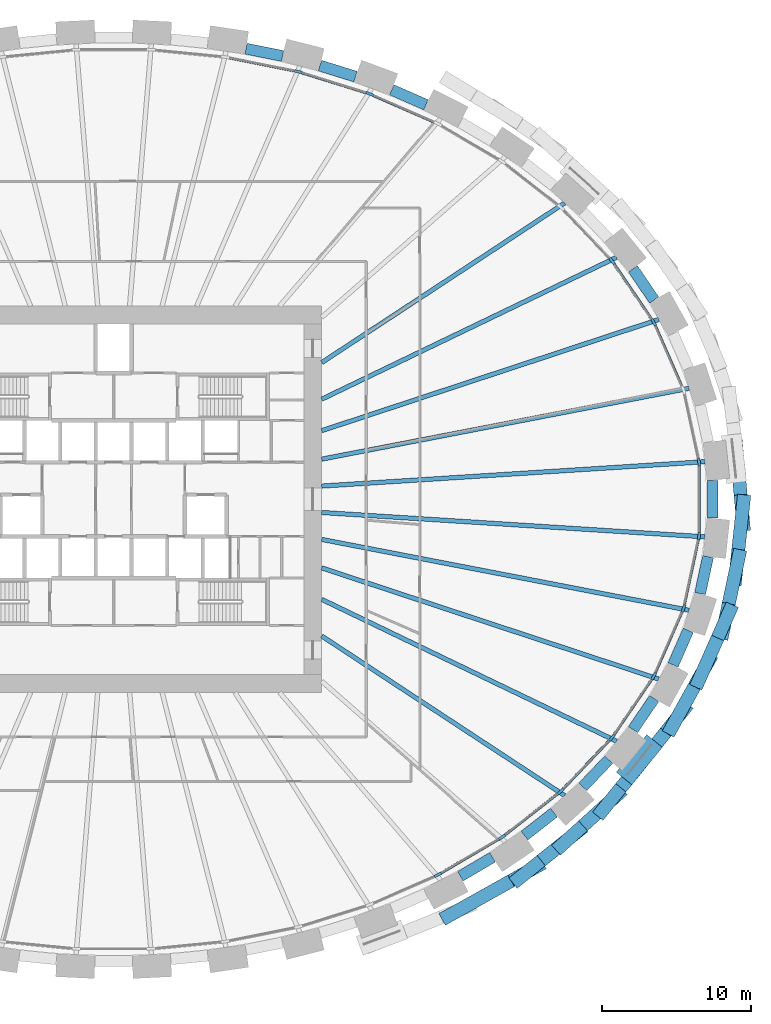
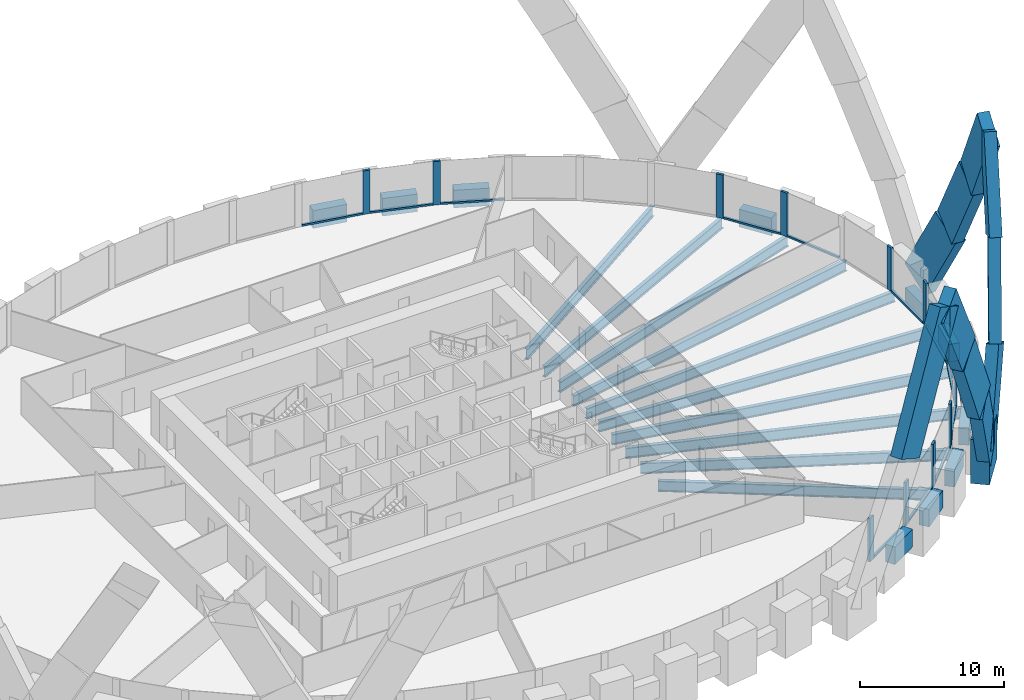
# One storey, part 4 of 12: 35 members, 21 beams, 1 element without a shape of its own.
"""IFC4 building model written with IfcOpenShell, lengths in metres."""

from ifc_helpers import new_model, si_unit, direction, frame, origin, origin_2d, place, context, subcontext, project, spatial, rectangle, i_section, extrude, source, transform, mapped, material, material_profile, profile_set, type_object, element, aggregate, save


model = new_model("IFC4")

# Units and contexts
model_context = context("Model", 3, precision=1e-05, world=origin(), true_north=direction((0.0, 1.0)))
body_context = subcontext(model_context, "Body", "Model", "MODEL_VIEW")
ifc_project = project(units=[si_unit("LENGTHUNIT", "METRE"), si_unit("AREAUNIT", "SQUARE_METRE"), si_unit("VOLUMEUNIT", "CUBIC_METRE"), si_unit("PLANEANGLEUNIT", "RADIAN"), si_unit("MASSUNIT", "GRAM", prefix="KILO")], contexts=[model_context])

# Site, building, storey
site_placement = place(None, origin())
site = spatial("IfcSite", under=ifc_project, at=site_placement, CompositionType="ELEMENT")
building_placement = place(site_placement, origin())
building = spatial("IfcBuilding", under=site, at=building_placement, Name="Embergate Tower", CompositionType="ELEMENT")
storey_placement = place(building_placement, frame((0.0, 0.0, 65.89990234375)))
storey = spatial("IfcBuildingStorey", under=building, at=storey_placement, Name="L12", CompositionType="ELEMENT", Elevation=65.89990234375)

# Beams
ifc_material_1 = material(Name="Concrete C70", Category="concrete")
ifc_material_profile_1 = material_profile(ifc_material_1, rectangle(XDim=0.75, YDim=1.5, at=origin_2d()), Name="RC 750x1500")
ifc_profile_set_1 = profile_set([ifc_material_profile_1], Name="Concrete C70")
beam_type_1 = type_object("IfcBeamType", Name="Spandrel beam RC 750x1500 C70", PredefinedType="BEAM", material=ifc_profile_set_1)
shared_shape_1 = source(origin(), body_context, "Body", "SweptSolid", [
    extrude(rectangle(XDim=0.75, YDim=1.5, at=origin_2d()), origin(), (0.0, 0.0, 1.0), 2.5439453125),
])
beam_1_placement = place(storey_placement, frame((39.466064453125, -6.344970703125, 0.0), z_axis=(0.210269633901, 0.977643432474, 0.0), x_axis=(-0.977643432474, 0.210269633901, 0.0)))
element("IfcBeam", 1, at=beam_1_placement, inside=storey, type_object=beam_type_1, Name="SPN-L12-42", PredefinedType="BEAM", context=body_context, shape_type="MappedRepresentation", body=[
    mapped(shared_shape_1, transform((0.0, 0.0, 0.0))),
])
shared_shape_2 = source(origin(), body_context, "Body", "SweptSolid", [
    extrude(rectangle(XDim=0.75, YDim=1.5, at=origin_2d()), origin(), (0.0, 0.0, 1.0), 2.540771484375),
])
beam_2_placement = place(storey_placement, frame((37.64599609375, -11.14599609375, 0.0), z_axis=(0.401479097778, 0.915868185956, 0.0), x_axis=(-0.915868185956, 0.401479097778, 0.0)))
element("IfcBeam", 2, at=beam_2_placement, inside=storey, type_object=beam_type_1, Name="SPN-L12-41", PredefinedType="BEAM", context=body_context, shape_type="MappedRepresentation", body=[
    mapped(shared_shape_2, transform((0.0, 0.0, 0.0))),
])
shared_shape_3 = source(origin(), body_context, "Body", "SweptSolid", [
    extrude(rectangle(XDim=0.75, YDim=1.5, at=origin_2d()), origin(), (0.0, 0.0, 1.0), 2.5302734375),
])
for number, where, z_axis, x_axis, name in (
    (3, (36.3701171875, 13.410888671875, 0.0), (-0.562447254988, 0.82683316658, 0.0), (-0.82683316658, -0.562447254988, 0.0), "SPN-L12-02"),
    (4, (34.947021484375, -15.5029296875, 0.0), (0.562447254988, 0.82683316658, 0.0), (-0.82683316658, 0.562447254988, 0.0), "SPN-L12-40"),
):
    element("IfcBeam", number, at=place(storey_placement, frame(where, z_axis=z_axis, x_axis=x_axis)), inside=storey, type_object=beam_type_1, Name=name, PredefinedType="BEAM", context=body_context, shape_type="MappedRepresentation", body=[
        mapped(shared_shape_3, transform((0.0, 0.0, 0.0))),
    ])
shared_shape_4 = source(origin(), body_context, "Body", "SweptSolid", [
    extrude(rectangle(XDim=0.75, YDim=1.5, at=origin_2d()), origin(), (0.0, 0.0, 1.0), 2.525146484375),
])
beam_3_placement = place(storey_placement, frame((31.571044921875, -19.35302734375, 0.0), z_axis=(0.689836216716, 0.723965464719, 0.0), x_axis=(-0.723965464719, 0.689836216716, 0.0)))
element("IfcBeam", 5, at=beam_3_placement, inside=storey, type_object=beam_type_1, Name="SPN-L12-39", PredefinedType="BEAM", context=body_context, shape_type="MappedRepresentation", body=[
    mapped(shared_shape_4, transform((0.0, 0.0, 0.0))),
])
shared_shape_5 = source(origin(), body_context, "Body", "SweptSolid", [
    extrude(rectangle(XDim=0.75, YDim=1.5, at=origin_2d()), origin(), (0.0, 0.0, 1.0), 2.51708984375),
])
beam_4_placement = place(storey_placement, frame((27.64599609375, -22.632080078125, 0.0), z_axis=(0.788186103863, 0.615436971328, 0.0), x_axis=(-0.615436971328, 0.788186103863, 0.0)))
element("IfcBeam", 6, at=beam_4_placement, inside=storey, type_object=beam_type_1, Name="SPN-L12-38", PredefinedType="BEAM", context=body_context, shape_type="MappedRepresentation", body=[
    mapped(shared_shape_5, transform((0.0, 0.0, 0.0))),
])
shared_shape_6 = source(origin(), body_context, "Body", "SweptSolid", [
    extrude(rectangle(XDim=0.75, YDim=1.5, at=origin_2d()), origin(), (0.0, 0.0, 1.0), 2.512451171875),
])
beam_5_placement = place(storey_placement, frame((23.330078125, -25.366943359375, 0.0), z_axis=(0.862138987282, 0.506671852986, 0.0), x_axis=(-0.506671852986, 0.862138987282, 0.0)))
element("IfcBeam", 7, at=beam_5_placement, inside=storey, type_object=beam_type_1, Name="SPN-L12-37", PredefinedType="BEAM", context=body_context, shape_type="MappedRepresentation", body=[
    mapped(shared_shape_6, transform((0.0, 0.0, 0.0))),
])
shared_shape_7 = source(origin(), body_context, "Body", "SweptSolid", [
    extrude(rectangle(XDim=0.75, YDim=1.5, at=origin_2d()), origin(), (0.0, 0.0, 1.0), 2.508056640625),
])
beam_6_placement = place(storey_placement, frame((21.013916015625, 26.549072265625, 0.0), z_axis=(-0.916219880472, 0.400675842331, 0.0), x_axis=(-0.400675842331, -0.916219880472, 0.0)))
element("IfcBeam", 8, at=beam_6_placement, inside=storey, type_object=beam_type_1, Name="SPN-L12-06", PredefinedType="BEAM", context=body_context, shape_type="MappedRepresentation", body=[
    mapped(shared_shape_7, transform((0.0, 0.0, 0.0))),
])
shared_shape_8 = source(origin(), body_context, "Body", "SweptSolid", [
    extrude(rectangle(XDim=0.75, YDim=1.5, at=origin_2d()), origin(), (0.0, 0.0, 1.0), 2.505126953125),
])
beam_7_placement = place(storey_placement, frame((16.27294921875, 28.444091796875, 0.0), z_axis=(-0.95477257779, 0.297337055715, 0.0), x_axis=(-0.297337055715, -0.95477257779, 0.0)))
element("IfcBeam", 9, at=beam_7_placement, inside=storey, type_object=beam_type_1, Name="SPN-L12-07", PredefinedType="BEAM", context=body_context, shape_type="MappedRepresentation", body=[
    mapped(shared_shape_8, transform((0.0, 0.0, 0.0))),
])
shared_shape_9 = source(origin(), body_context, "Body", "SweptSolid", [
    extrude(rectangle(XDim=0.75, YDim=1.5, at=origin_2d()), origin(), (0.0, 0.0, 1.0), 2.5029296875),
])
beam_8_placement = place(storey_placement, frame((11.362060546875, 29.83203125, 0.0), z_axis=(-0.980494293439, 0.196547552853, 0.0), x_axis=(-0.196547552853, -0.980494293439, 0.0)))
element("IfcBeam", 10, at=beam_8_placement, inside=storey, type_object=beam_type_1, Name="SPN-L12-08", PredefinedType="BEAM", context=body_context, shape_type="MappedRepresentation", body=[
    mapped(shared_shape_9, transform((0.0, 0.0, 0.0))),
])
shared_shape_10 = source(origin(), body_context, "Body", "SweptSolid", [
    extrude(rectangle(XDim=0.75, YDim=1.5, at=origin_2d()), origin(), (0.0, 0.0, 1.0), 2.5498046875),
])
beam_9_placement = place(storey_placement, frame((40.2958984375, -1.27490234375, 0.0), z_axis=(0.0, 1.0, 0.0), x_axis=(-1.0, 0.0, 0.0)))
element("IfcBeam", 11, at=beam_9_placement, inside=storey, type_object=beam_type_1, Name="SPN-L12-43", PredefinedType="BEAM", context=body_context, shape_type="MappedRepresentation", body=[
    mapped(shared_shape_10, transform((0.0, 0.0, 0.0))),
])
ifc_material_2 = material(Name="Steel Q355B", Category="steel")
ifc_material_profile_2 = material_profile(ifc_material_2, i_section(OverallWidth=0.300048828125, OverallDepth=0.89990234375, WebThickness=0.01611328125, FlangeThickness=0.028076171875, FilletRadius=0.028076171875, at=origin_2d()), Name="HN 900x300x16x28")
ifc_profile_set_2 = profile_set([ifc_material_profile_2], Name="Steel Q355 grade B")
beam_type_2 = type_object("IfcBeamType", Name="Radial girder HN 900x300x16x28", PredefinedType="BEAM", material=ifc_profile_set_2)
shared_shape_11 = source(origin(), body_context, "Body", "SweptSolid", [
    extrude(i_section(OverallWidth=0.300048828125, OverallDepth=0.89990234375, WebThickness=0.01611328125, FlangeThickness=0.028076171875, FilletRadius=0.028076171875, at=origin_2d()), origin(), (0.0, 0.0, 1.0), 25.8330078125),
])
for number, where, z_axis, x_axis, name in (
    (12, (39.781005859375, 2.527099609375, -0.64990234375), (-0.997987282957, -0.063414375786, 0.0), (0.063414375786, -0.997987282957, 0.0), "GIR-L12-00"),
    (13, (39.781005859375, -2.527099609375, -0.64990234375), (-0.997987282957, 0.063414375786, 0.0), (-0.063414375786, -0.997987282957, 0.0), "GIR-L12-43"),
):
    element("IfcBeam", number, at=place(storey_placement, frame(where, z_axis=z_axis, x_axis=x_axis)), inside=storey, type_object=beam_type_2, Name=name, PredefinedType="BEAM", context=body_context, shape_type="MappedRepresentation", body=[
        mapped(shared_shape_11, transform((0.0, 0.0, 0.0))),
    ])
shared_shape_12 = source(origin(), body_context, "Body", "SweptSolid", [
    extrude(i_section(OverallWidth=0.300048828125, OverallDepth=0.89990234375, WebThickness=0.01611328125, FlangeThickness=0.028076171875, FilletRadius=0.028076171875, at=origin_2d()), origin(), (0.0, 0.0, 1.0), 25.173583984375),
])
for number, where, z_axis, x_axis, name in (
    (14, (38.718017578125, 7.468994140625, -0.64990234375), (-0.981898721565, -0.189406706822, 0.0), (0.189406706822, -0.981898721565, 0.0), "GIR-L12-01"),
    (15, (38.718017578125, -7.468994140625, -0.64990234375), (-0.981898721565, 0.189406706822, 0.0), (-0.189406706822, -0.981898721565, 0.0), "GIR-L12-42"),
):
    element("IfcBeam", number, at=place(storey_placement, frame(where, z_axis=z_axis, x_axis=x_axis)), inside=storey, type_object=beam_type_2, Name=name, PredefinedType="BEAM", context=body_context, shape_type="MappedRepresentation", body=[
        mapped(shared_shape_12, transform((0.0, 0.0, 0.0))),
    ])
shared_shape_13 = source(origin(), body_context, "Body", "SweptSolid", [
    extrude(i_section(OverallWidth=0.300048828125, OverallDepth=0.89990234375, WebThickness=0.01611328125, FlangeThickness=0.028076171875, FilletRadius=0.028076171875, at=origin_2d()), origin(), (0.0, 0.0, 1.0), 23.889404296875),
])
for number, where, z_axis, x_axis, name in (
    (16, (36.68701171875, 12.10009765625, -0.64990234375), (-0.949672981662, -0.313243081171, 0.0), (0.313243081171, -0.949672981662, 0.0), "GIR-L12-02"),
    (17, (36.68701171875, -12.10009765625, -0.64990234375), (-0.949672981662, 0.313243081171, 0.0), (-0.313243081171, -0.949672981662, 0.0), "GIR-L12-41"),
):
    element("IfcBeam", number, at=place(storey_placement, frame(where, z_axis=z_axis, x_axis=x_axis)), inside=storey, type_object=beam_type_2, Name=name, PredefinedType="BEAM", context=body_context, shape_type="MappedRepresentation", body=[
        mapped(shared_shape_13, transform((0.0, 0.0, 0.0))),
    ])
shared_shape_14 = source(origin(), body_context, "Body", "SweptSolid", [
    extrude(i_section(OverallWidth=0.300048828125, OverallDepth=0.89990234375, WebThickness=0.01611328125, FlangeThickness=0.028076171875, FilletRadius=0.028076171875, at=origin_2d()), origin(), (0.0, 0.0, 1.0), 22.020751953125),
])
for number, where, z_axis, x_axis, name in (
    (18, (33.843994140625, 16.281005859375, -0.64990234375), (-0.90115457104, -0.433497911291, 0.0), (0.433497911291, -0.90115457104, 0.0), "GIR-L12-03"),
    (19, (33.843994140625, -16.281005859375, -0.64990234375), (-0.90115457104, 0.433497911291, 0.0), (-0.433497911291, -0.90115457104, 0.0), "GIR-L12-40"),
):
    element("IfcBeam", number, at=place(storey_placement, frame(where, z_axis=z_axis, x_axis=x_axis)), inside=storey, type_object=beam_type_2, Name=name, PredefinedType="BEAM", context=body_context, shape_type="MappedRepresentation", body=[
        mapped(shared_shape_14, transform((0.0, 0.0, 0.0))),
    ])
shared_shape_15 = source(origin(), body_context, "Body", "SweptSolid", [
    extrude(i_section(OverallWidth=0.300048828125, OverallDepth=0.89990234375, WebThickness=0.01611328125, FlangeThickness=0.028076171875, FilletRadius=0.028076171875, at=origin_2d()), origin(), (0.0, 0.0, 1.0), 19.56591796875),
])
for number, where, z_axis, x_axis, name in (
    (20, (30.35205078125, 19.94189453125, -0.64990234375), (-0.835746219167, -0.549115886812, 0.0), (0.549115886812, -0.835746219167, 0.0), "GIR-L12-04"),
    (21, (30.35205078125, -19.94189453125, -0.64990234375), (-0.835746219167, 0.549115886812, 0.0), (-0.549115886812, -0.835746219167, 0.0), "GIR-L12-39"),
):
    element("IfcBeam", number, at=place(storey_placement, frame(where, z_axis=z_axis, x_axis=x_axis)), inside=storey, type_object=beam_type_2, Name=name, PredefinedType="BEAM", context=body_context, shape_type="MappedRepresentation", body=[
        mapped(shared_shape_15, transform((0.0, 0.0, 0.0))),
    ])

# Members
ifc_material_profile_3 = material_profile(ifc_material_1, rectangle(XDim=1.35009765625, YDim=3.25, at=origin_2d()), Name="RC 1350x3250")
ifc_profile_set_3 = profile_set([ifc_material_profile_3], Name="Concrete C70")
member_type_1 = type_object("IfcMemberType", Name="Lattice node block RC 1350x3250", PredefinedType="POST", material=ifc_profile_set_3)
shared_shape_16 = source(origin(), body_context, "Body", "SweptSolid", [
    extrude(rectangle(XDim=1.35009765625, YDim=3.25, at=origin_2d()), origin(), (0.0, 0.0, 1.0), 3.75),
])
member_1_placement = place(storey_placement, frame((35.3759765625, -17.527099609375, -1.875), z_axis=(0.0, 0.0, 1.0), x_axis=(0.775925311702, -0.630824786022, 0.0)))
element("IfcMember", 22, at=member_1_placement, inside=storey, type_object=member_type_1, Name="NOD-L12-40", PredefinedType="POST", context=body_context, shape_type="MappedRepresentation", body=[
    mapped(shared_shape_16, transform((0.0, 0.0, 0.0))),
])
ifc_material_profile_4 = material_profile(ifc_material_1, rectangle(XDim=0.89990234375, YDim=2.800048828125, at=origin_2d()), Name="RC 900x2800")
ifc_profile_set_4 = profile_set([ifc_material_profile_4], Name="Concrete C70")
member_type_2 = type_object("IfcMemberType", Name="Lattice diagonal terracotta-faced RC 900x2800", PredefinedType="BRACE", material=ifc_profile_set_4)
shared_shape_17 = source(origin(), body_context, "Body", "SweptSolid", [
    extrude(rectangle(XDim=0.89990234375, YDim=2.800048828125, at=origin_2d()), origin(), (0.0, 0.0, 1.0), 7.472412109375),
])
member_2_placement = place(storey_placement, frame((41.968994140625, 2.761962890625, 0.0), z_axis=(0.044695618566, -0.491259737392, 0.869865605768), x_axis=(0.99588668912, 0.090607408268, 0.0)))
element("IfcMember", 23, at=member_2_placement, inside=storey, type_object=member_type_2, Name="BRC-L12-00-42-S00", PredefinedType="BRACE", context=body_context, shape_type="MappedRepresentation", body=[
    mapped(shared_shape_17, transform((0.0, 0.0, 0.0))),
])
shared_shape_18 = source(origin(), body_context, "Body", "SweptSolid", [
    extrude(rectangle(XDim=0.89990234375, YDim=2.800048828125, at=origin_2d()), origin(), (0.0, 0.0, 1.0), 7.475830078125),
])
member_3_placement = place(storey_placement, frame((42.302978515625, -0.908935546875, 6.5), z_axis=(-0.052154478662, -0.491205706677, 0.869480801446), x_axis=(0.99441049617, -0.105582977354, 0.0)))
element("IfcMember", 24, at=member_3_placement, inside=storey, type_object=member_type_2, Name="BRC-L12-00-42-S01", PredefinedType="BRACE", context=body_context, shape_type="MappedRepresentation", body=[
    mapped(shared_shape_18, transform((0.0, 0.0, 0.0))),
])
shared_shape_19 = source(origin(), body_context, "Body", "SweptSolid", [
    extrude(rectangle(XDim=0.89990234375, YDim=2.800048828125, at=origin_2d()), origin(), (0.0, 0.0, 1.0), 7.486572265625),
])
member_4_placement = place(storey_placement, frame((41.9130859375, -4.5810546875, 13.0), z_axis=(-0.102853082781, -0.485405243243, 0.868218286605), x_axis=(0.978279783749, -0.207288843664, 0.0)))
element("IfcMember", 25, at=member_4_placement, inside=storey, type_object=member_type_2, Name="BRC-L12-00-42-S02", PredefinedType="BRACE", context=body_context, shape_type="MappedRepresentation", body=[
    mapped(shared_shape_19, transform((0.0, 0.0, 0.0))),
])
shared_shape_20 = source(origin(), body_context, "Body", "SweptSolid", [
    extrude(rectangle(XDim=0.89990234375, YDim=2.800048828125, at=origin_2d()), origin(), (0.0, 0.0, 1.0), 7.433349609375),
])
member_5_placement = place(storey_placement, frame((33.35498046875, -20.3720703125, 6.5), z_axis=(-0.359603607683, -0.325676260278, 0.874425650832), x_axis=(0.671276625734, -0.741206915607, 0.0)))
element("IfcMember", 26, at=member_5_placement, inside=storey, type_object=member_type_2, Name="BRC-L12-40-38-S01", PredefinedType="BRACE", context=body_context, shape_type="MappedRepresentation", body=[
    mapped(shared_shape_20, transform((0.0, 0.0, 0.0))),
])
shared_shape_21 = source(origin(), body_context, "Body", "SweptSolid", [
    extrude(rectangle(XDim=0.89990234375, YDim=2.800048828125, at=origin_2d()), origin(), (0.0, 0.0, 1.0), 7.4580078125),
])
member_6_placement = place(storey_placement, frame((37.903076171875, -14.72802734375, 6.5), z_axis=(0.237329757091, 0.429059465681, 0.871540338314), x_axis=(-0.875053295182, 0.484026580459, 0.0)))
element("IfcMember", 27, at=member_6_placement, inside=storey, type_object=member_type_2, Name="BRC-L12-40-42-S01", PredefinedType="BRACE", context=body_context, shape_type="MappedRepresentation", body=[
    mapped(shared_shape_21, transform((0.0, 0.0, 0.0))),
])
shared_shape_22 = source(origin(), body_context, "Body", "SweptSolid", [
    extrude(rectangle(XDim=0.89990234375, YDim=2.800048828125, at=origin_2d()), origin(), (0.0, 0.0, 1.0), 11.108642578125),
])
member_7_placement = place(storey_placement, frame((23.177978515625, -27.676025390625, 9.75), z_axis=(0.418140668644, 0.234146467136, 0.877686625826), x_axis=(-0.488583818606, 0.872516963844, 0.0)))
element("IfcMember", 28, at=member_7_placement, inside=storey, type_object=member_type_2, Name="BRC-L12-36-38-S01", PredefinedType="BRACE", context=body_context, shape_type="MappedRepresentation", body=[
    mapped(shared_shape_22, transform((0.0, 0.0, 0.0))),
])
shared_shape_23 = source(origin(), body_context, "Body", "SweptSolid", [
    extrude(rectangle(XDim=0.89990234375, YDim=2.800048828125, at=origin_2d()), origin(), (0.0, 0.0, 1.0), 7.374267578125),
])
member_8_placement = place(storey_placement, frame((35.551025390625, -17.6689453125, 0.0), z_axis=(-0.297799265594, -0.366562920362, 0.881446097517), x_axis=(0.776148306781, -0.63055039916, 0.0)))
element("IfcMember", 29, at=member_8_placement, inside=storey, type_object=member_type_2, Name="BRC-L12-40-38-S00", PredefinedType="BRACE", context=body_context, shape_type="MappedRepresentation", body=[
    mapped(shared_shape_23, transform((0.0, 0.0, 0.0))),
])
shared_shape_24 = source(origin(), body_context, "Body", "SweptSolid", [
    extrude(rectangle(XDim=0.89990234375, YDim=2.800048828125, at=origin_2d()), origin(), (0.0, 0.0, 1.0), 7.45849609375),
])
member_9_placement = place(storey_placement, frame((30.681884765625, -22.79296875, 13.0), z_axis=(-0.38330084296, -0.305953286008, 0.871477510075), x_axis=(0.623840046719, -0.781552043123, 0.0)))
element("IfcMember", 30, at=member_9_placement, inside=storey, type_object=member_type_2, Name="BRC-L12-40-38-S02", PredefinedType="BRACE", context=body_context, shape_type="MappedRepresentation", body=[
    mapped(shared_shape_24, transform((0.0, 0.0, 0.0))),
])
shared_shape_25 = source(origin(), body_context, "Body", "SweptSolid", [
    extrude(rectangle(XDim=0.89990234375, YDim=2.800048828125, at=origin_2d()), origin(), (0.0, 0.0, 1.0), 7.511962890625),
])
member_10_placement = place(storey_placement, frame((35.551025390625, -17.6689453125, 0.0), z_axis=(0.313103034588, 0.391492542521, 0.865274568494), x_axis=(-0.780957351611, 0.624584353762, 0.0)))
element("IfcMember", 31, at=member_10_placement, inside=storey, type_object=member_type_2, Name="BRC-L12-40-42-S00", PredefinedType="BRACE", context=body_context, shape_type="MappedRepresentation", body=[
    mapped(shared_shape_25, transform((0.0, 0.0, 0.0))),
])
shared_shape_26 = source(origin(), body_context, "Body", "SweptSolid", [
    extrude(rectangle(XDim=0.89990234375, YDim=2.800048828125, at=origin_2d()), origin(), (0.0, 0.0, 1.0), 7.442138671875),
])
member_11_placement = place(storey_placement, frame((39.673095703125, -11.528076171875, 13.0), z_axis=(0.197517651739, 0.445161025428, 0.87339477826), x_axis=(-0.914064142188, 0.405569653656, 0.0)))
element("IfcMember", 32, at=member_11_placement, inside=storey, type_object=member_type_2, Name="BRC-L12-40-42-S02", PredefinedType="BRACE", context=body_context, shape_type="MappedRepresentation", body=[
    mapped(shared_shape_26, transform((0.0, 0.0, 0.0))),
])

# Curtain wall, members
ifc_material_3 = material(Name="Aluminium and glass", Category="aluminium")
curtain_wall_type = type_object("IfcCurtainWallType", Name="Recessed office glazing", PredefinedType="NOTDEFINED", material=ifc_material_3)
curtain_wall_placement = place(storey_placement, origin())
curtain_wall = element("IfcCurtainWall", 33, at=curtain_wall_placement, inside=storey, type_object=curtain_wall_type, Name="Recessed office glazing ring", ObjectType="RECESSED OFFICE GLAZING", PredefinedType="USERDEFINED")
ifc_material_4 = material(Name="Aluminium, thermally broken", Category="aluminium")
ifc_material_profile_5 = material_profile(ifc_material_4, rectangle(XDim=0.179931640625, YDim=0.52001953125, at=origin_2d()), Name="AL 520x180")
ifc_profile_set_5 = profile_set([ifc_material_profile_5], Name="Aluminium, thermally broken")
member_type_3 = type_object("IfcMemberType", Name="Office mullion", PredefinedType="MULLION", material=ifc_profile_set_5)
shared_shape_27 = source(origin(), body_context, "Body", "SweptSolid", [
    extrude(rectangle(XDim=0.179931640625, YDim=0.52001953125, at=origin_2d()), origin(), (0.0, 0.0, 1.0), 3.7001953125),
])
member_12_placement = place(storey_placement, frame((39.393798828125, 2.485595703125, 0.0), z_axis=(0.0, 0.0, 1.0), x_axis=(-0.994385508811, -0.105818050756, 0.0)))
member_12 = element("IfcMember", 34, at=member_12_placement, type_object=member_type_3, Name="CW mullion 1", PredefinedType="MULLION", context=body_context, shape_type="MappedRepresentation", body=[
    mapped(shared_shape_27, transform((0.0, 0.0, 0.0))),
])
member_13_placement = place(storey_placement, frame((36.3466796875, 11.909423828125, 0.0), z_axis=(0.0, 0.0, 1.0), x_axis=(-0.875010345178, -0.48410422001, 0.0)))
member_13 = element("IfcMember", 35, at=member_13_placement, type_object=member_type_3, Name="CW mullion 3", PredefinedType="MULLION", context=body_context, shape_type="MappedRepresentation", body=[
    mapped(shared_shape_27, transform((0.0, 0.0, 0.0))),
])
member_14_placement = place(storey_placement, frame((33.541015625, 16.035400390625, 0.0), z_axis=(0.0, 0.0, 1.0), x_axis=(-0.777883532271, -0.628408474022, 0.0)))
member_14 = element("IfcMember", 36, at=member_14_placement, type_object=member_type_3, Name="CW mullion 4", PredefinedType="MULLION", context=body_context, shape_type="MappedRepresentation", body=[
    mapped(shared_shape_27, transform((0.0, 0.0, 0.0))),
])
member_15_placement = place(storey_placement, frame((17.22802734375, 27.282958984375, 0.0), z_axis=(0.0, 0.0, 1.0), x_axis=(-0.349510859141, -0.936932313106, 0.0)))
member_15 = element("IfcMember", 37, at=member_15_placement, type_object=member_type_3, Name="CW mullion 8", PredefinedType="MULLION", context=body_context, shape_type="MappedRepresentation", body=[
    mapped(shared_shape_27, transform((0.0, 0.0, 0.0))),
])
member_16_placement = place(storey_placement, frame((12.435302734375, 28.775634765625, 0.0), z_axis=(0.0, 0.0, 1.0), x_axis=(-0.247318645812, -0.968934201808, 0.0)))
member_16 = element("IfcMember", 38, at=member_16_placement, type_object=member_type_3, Name="CW mullion 9", PredefinedType="MULLION", context=body_context, shape_type="MappedRepresentation", body=[
    mapped(shared_shape_27, transform((0.0, 0.0, 0.0))),
])
member_17_placement = place(storey_placement, frame((21.824462890625, -25.273193359375, 0.0), z_axis=(0.0, 0.0, 1.0), x_axis=(-0.454520708319, 0.890736170653, 0.0)))
member_17 = element("IfcMember", 39, at=member_17_placement, type_object=member_type_3, Name="CW mullion 38", PredefinedType="MULLION", context=body_context, shape_type="MappedRepresentation", body=[
    mapped(shared_shape_27, transform((0.0, 0.0, 0.0))),
])
member_18_placement = place(storey_placement, frame((26.14501953125, -22.73291015625, 0.0), z_axis=(0.0, 0.0, 1.0), x_axis=(-0.562229165438, 0.826981478348, 0.0)))
member_18 = element("IfcMember", 40, at=member_18_placement, type_object=member_type_3, Name="CW mullion 39", PredefinedType="MULLION", context=body_context, shape_type="MappedRepresentation", body=[
    mapped(shared_shape_27, transform((0.0, 0.0, 0.0))),
])
member_19_placement = place(storey_placement, frame((30.09130859375, -19.65283203125, 0.0), z_axis=(0.0, 0.0, 1.0), x_axis=(-0.671239471147, 0.741240563093, 0.0)))
member_19 = element("IfcMember", 41, at=member_19_placement, type_object=member_type_3, Name="CW mullion 40", PredefinedType="MULLION", context=body_context, shape_type="MappedRepresentation", body=[
    mapped(shared_shape_27, transform((0.0, 0.0, 0.0))),
])
member_20_placement = place(storey_placement, frame((33.541015625, -16.035400390625, 0.0), z_axis=(0.0, 0.0, 1.0), x_axis=(-0.777883532271, 0.628408474022, 0.0)))
member_20 = element("IfcMember", 42, at=member_20_placement, type_object=member_type_3, Name="CW mullion 41", PredefinedType="MULLION", context=body_context, shape_type="MappedRepresentation", body=[
    mapped(shared_shape_27, transform((0.0, 0.0, 0.0))),
])
member_21_placement = place(storey_placement, frame((36.3466796875, -11.909423828125, 0.0), z_axis=(0.0, 0.0, 1.0), x_axis=(-0.875010345178, 0.48410422001, 0.0)))
member_21 = element("IfcMember", 43, at=member_21_placement, type_object=member_type_3, Name="CW mullion 42", PredefinedType="MULLION", context=body_context, shape_type="MappedRepresentation", body=[
    mapped(shared_shape_27, transform((0.0, 0.0, 0.0))),
])
member_22_placement = place(storey_placement, frame((38.347412109375, -7.347900390625, 0.0), z_axis=(0.0, 0.0, 1.0), x_axis=(-0.951502093582, 0.307642269381, 0.0)))
member_22 = element("IfcMember", 44, at=member_22_placement, type_object=member_type_3, Name="CW mullion 43", PredefinedType="MULLION", context=body_context, shape_type="MappedRepresentation", body=[
    mapped(shared_shape_27, transform((0.0, 0.0, 0.0))),
])
member_23_placement = place(storey_placement, frame((39.393798828125, -2.485595703125, 0.0), z_axis=(0.0, 0.0, 1.0), x_axis=(-0.994385508811, 0.105818050756, 0.0)))
member_23 = element("IfcMember", 45, at=member_23_placement, type_object=member_type_3, Name="CW mullion 44", PredefinedType="MULLION", context=body_context, shape_type="MappedRepresentation", body=[
    mapped(shared_shape_27, transform((0.0, 0.0, 0.0))),
])
ifc_material_profile_6 = material_profile(ifc_material_4, rectangle(XDim=0.179931640625, YDim=0.14990234375, at=origin_2d()), Name="AL 150x180")
ifc_profile_set_6 = profile_set([ifc_material_profile_6], Name="Aluminium, thermally broken")
member_type_4 = type_object("IfcMemberType", Name="Office sill transom", PredefinedType="USERDEFINED", material=ifc_profile_set_6)
shared_shape_28 = source(origin(), body_context, "Body", "SweptSolid", [
    extrude(rectangle(XDim=0.179931640625, YDim=0.14990234375, at=origin_2d()), origin(), (0.0, 0.0, 1.0), 4.45361328125),
])
member_24_placement = place(storey_placement, frame((38.402099609375, -7.09375, 0.0751953125), z_axis=(0.210390045313, 0.977617526865, 0.0), x_axis=(-0.977617526865, 0.210390045313, 0.0)))
member_24 = element("IfcMember", 46, at=member_24_placement, type_object=member_type_4, Name="CW transom 43.1", ObjectType="TRANSOM", PredefinedType="USERDEFINED", context=body_context, shape_type="MappedRepresentation", body=[
    mapped(shared_shape_28, transform((0.0, 0.0, 0.0))),
])
shared_shape_29 = source(origin(), body_context, "Body", "SweptSolid", [
    extrude(rectangle(XDim=0.179931640625, YDim=0.14990234375, at=origin_2d()), origin(), (0.0, 0.0, 1.0), 4.460693359375),
])
member_25_placement = place(storey_placement, frame((38.242919921875, 7.586181640625, 0.0751953125), z_axis=(-0.401613983085, 0.915809045921, 0.0), x_axis=(-0.915809045921, -0.401613983085, 0.0)))
member_25 = element("IfcMember", 47, at=member_25_placement, type_object=member_type_4, Name="CW transom 2.1", ObjectType="TRANSOM", PredefinedType="USERDEFINED", context=body_context, shape_type="MappedRepresentation", body=[
    mapped(shared_shape_29, transform((0.0, 0.0, 0.0))),
])
member_26_placement = place(storey_placement, frame((36.451416015625, -11.67138671875, 0.0751953125), z_axis=(0.401613983085, 0.915809045921, 0.0), x_axis=(-0.915809045921, 0.401613983085, 0.0)))
member_26 = element("IfcMember", 48, at=member_26_placement, type_object=member_type_4, Name="CW transom 42.1", ObjectType="TRANSOM", PredefinedType="USERDEFINED", context=body_context, shape_type="MappedRepresentation", body=[
    mapped(shared_shape_29, transform((0.0, 0.0, 0.0))),
])
shared_shape_30 = source(origin(), body_context, "Body", "SweptSolid", [
    extrude(rectangle(XDim=0.179931640625, YDim=0.14990234375, at=origin_2d()), origin(), (0.0, 0.0, 1.0), 4.4697265625),
])
member_27_placement = place(storey_placement, frame((36.20068359375, 12.12451171875, 0.0751953125), z_axis=(-0.562327949545, 0.826914310652, 0.0), x_axis=(-0.826914310652, -0.562327949545, 0.0)))
member_27 = element("IfcMember", 49, at=member_27_placement, type_object=member_type_4, Name="CW transom 3.1", ObjectType="TRANSOM", PredefinedType="USERDEFINED", context=body_context, shape_type="MappedRepresentation", body=[
    mapped(shared_shape_30, transform((0.0, 0.0, 0.0))),
])
member_28_placement = place(storey_placement, frame((33.687255859375, -15.820556640625, 0.0751953125), z_axis=(0.562327949545, 0.826914310652, 0.0), x_axis=(-0.826914310652, 0.562327949545, 0.0)))
member_28 = element("IfcMember", 50, at=member_28_placement, type_object=member_type_4, Name="CW transom 41.1", ObjectType="TRANSOM", PredefinedType="USERDEFINED", context=body_context, shape_type="MappedRepresentation", body=[
    mapped(shared_shape_30, transform((0.0, 0.0, 0.0))),
])
shared_shape_31 = source(origin(), body_context, "Body", "SweptSolid", [
    extrude(rectangle(XDim=0.179931640625, YDim=0.14990234375, at=origin_2d()), origin(), (0.0, 0.0, 1.0), 4.478515625),
])
member_29_placement = place(storey_placement, frame((30.270751953125, -19.464599609375, 0.0751953125), z_axis=(0.690145055563, 0.723671059447, 0.0), x_axis=(-0.723671059447, 0.690145055563, 0.0)))
member_29 = element("IfcMember", 51, at=member_29_placement, type_object=member_type_4, Name="CW transom 40.1", ObjectType="TRANSOM", PredefinedType="USERDEFINED", context=body_context, shape_type="MappedRepresentation", body=[
    mapped(shared_shape_31, transform((0.0, 0.0, 0.0))),
])
shared_shape_32 = source(origin(), body_context, "Body", "SweptSolid", [
    extrude(rectangle(XDim=0.179931640625, YDim=0.14990234375, at=origin_2d()), origin(), (0.0, 0.0, 1.0), 4.486083984375),
])
member_30_placement = place(storey_placement, frame((26.35009765625, -22.572998046875, 0.0751953125), z_axis=(0.78829904423, 0.615292301972, 0.0), x_axis=(-0.615292301972, 0.78829904423, 0.0)))
member_30 = element("IfcMember", 52, at=member_30_placement, type_object=member_type_4, Name="CW transom 39.1", ObjectType="TRANSOM", PredefinedType="USERDEFINED", context=body_context, shape_type="MappedRepresentation", body=[
    mapped(shared_shape_32, transform((0.0, 0.0, 0.0))),
])
shared_shape_33 = source(origin(), body_context, "Body", "SweptSolid", [
    extrude(rectangle(XDim=0.179931640625, YDim=0.14990234375, at=origin_2d()), origin(), (0.0, 0.0, 1.0), 4.491943359375),
])
member_31_placement = place(storey_placement, frame((22.048583984375, -25.141357421875, 0.0751953125), z_axis=(0.8620529522, 0.506818219486, 0.0), x_axis=(-0.506818219486, 0.8620529522, 0.0)))
member_31 = element("IfcMember", 53, at=member_31_placement, type_object=member_type_4, Name="CW transom 38.1", ObjectType="TRANSOM", PredefinedType="USERDEFINED", context=body_context, shape_type="MappedRepresentation", body=[
    mapped(shared_shape_33, transform((0.0, 0.0, 0.0))),
])
shared_shape_34 = source(origin(), body_context, "Body", "SweptSolid", [
    extrude(rectangle(XDim=0.179931640625, YDim=0.14990234375, at=origin_2d()), origin(), (0.0, 0.0, 1.0), 4.49658203125),
])
member_32_placement = place(storey_placement, frame((21.586181640625, 25.377197265625, 0.0751953125), z_axis=(-0.9162134002, 0.400690660354, 0.0), x_axis=(-0.400690660354, -0.9162134002, 0.0)))
member_32 = element("IfcMember", 54, at=member_32_placement, type_object=member_type_4, Name="CW transom 7.1", ObjectType="TRANSOM", PredefinedType="USERDEFINED", context=body_context, shape_type="MappedRepresentation", body=[
    mapped(shared_shape_34, transform((0.0, 0.0, 0.0))),
])
shared_shape_35 = source(origin(), body_context, "Body", "SweptSolid", [
    extrude(rectangle(XDim=0.179931640625, YDim=0.14990234375, at=origin_2d()), origin(), (0.0, 0.0, 1.0), 4.5),
])
member_33_placement = place(storey_placement, frame((16.97998046875, 27.3603515625, 0.0751953125), z_axis=(-0.954763366225, 0.297366633156, 0.0), x_axis=(-0.297366633156, -0.954763366225, 0.0)))
member_33 = element("IfcMember", 55, at=member_33_placement, type_object=member_type_4, Name="CW transom 8.1", ObjectType="TRANSOM", PredefinedType="USERDEFINED", context=body_context, shape_type="MappedRepresentation", body=[
    mapped(shared_shape_35, transform((0.0, 0.0, 0.0))),
])
shared_shape_36 = source(origin(), body_context, "Body", "SweptSolid", [
    extrude(rectangle(XDim=0.179931640625, YDim=0.14990234375, at=origin_2d()), origin(), (0.0, 0.0, 1.0), 4.502197265625),
])
member_34_placement = place(storey_placement, frame((12.180419921875, 28.826904296875, 0.0751953125), z_axis=(-0.980478345518, 0.196627093681, 0.0), x_axis=(-0.196627093681, -0.980478345518, 0.0)))
member_34 = element("IfcMember", 56, at=member_34_placement, type_object=member_type_4, Name="CW transom 9.1", ObjectType="TRANSOM", PredefinedType="USERDEFINED", context=body_context, shape_type="MappedRepresentation", body=[
    mapped(shared_shape_36, transform((0.0, 0.0, 0.0))),
])
shared_shape_37 = source(origin(), body_context, "Body", "SweptSolid", [
    extrude(rectangle(XDim=0.179931640625, YDim=0.14990234375, at=origin_2d()), origin(), (0.0, 0.0, 1.0), 4.451171875),
])
member_35_placement = place(storey_placement, frame((39.393798828125, -2.2255859375, 0.0751953125), z_axis=(0.0, 1.0, 0.0), x_axis=(-1.0, 0.0, 0.0)))
member_35 = element("IfcMember", 57, at=member_35_placement, type_object=member_type_4, Name="CW transom 44.1", ObjectType="TRANSOM", PredefinedType="USERDEFINED", context=body_context, shape_type="MappedRepresentation", body=[
    mapped(shared_shape_37, transform((0.0, 0.0, 0.0))),
])
aggregate(curtain_wall, [member_12, member_13, member_14, member_15, member_16, member_17, member_18, member_19, member_20, member_21, member_22, member_23, member_25, member_27, member_32, member_33, member_34, member_31, member_30, member_29, member_28, member_26, member_24, member_35])

save(model, "model.ifc")
